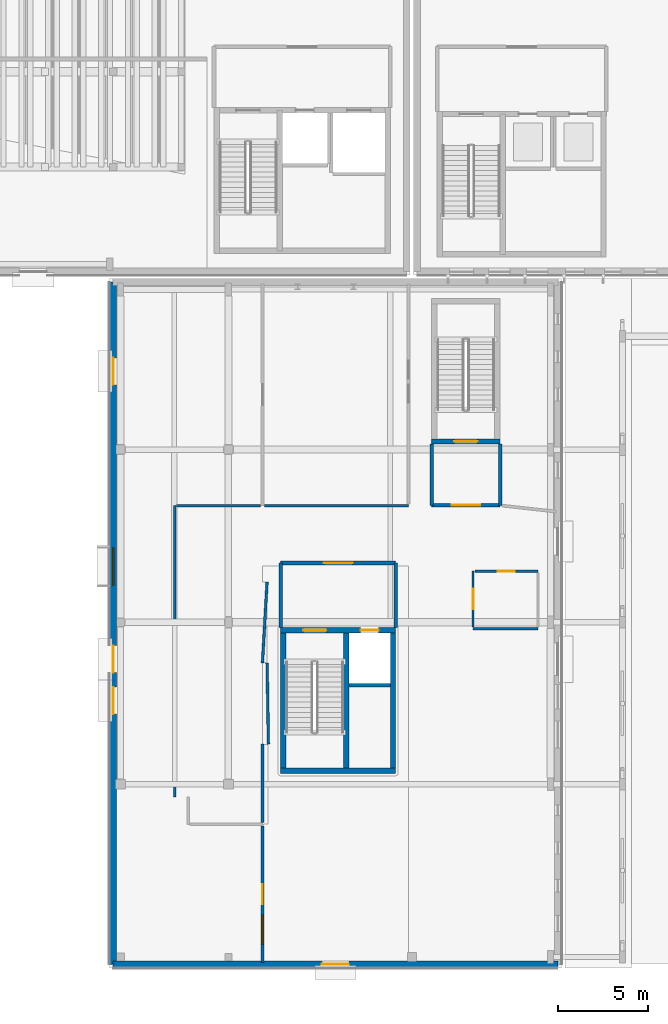
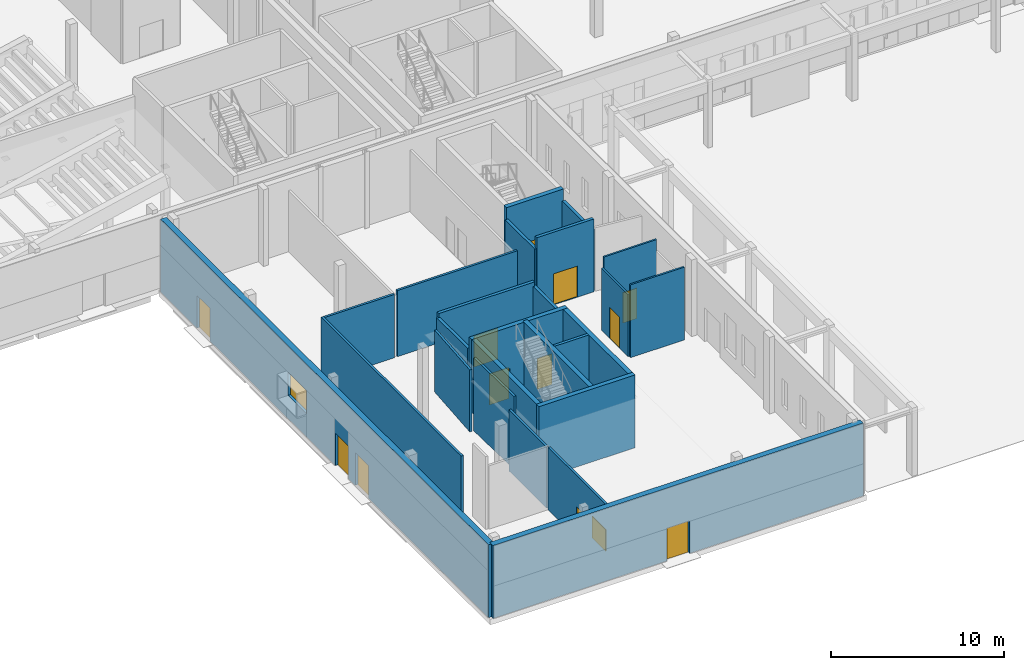
# One storey, part 38 of 84: 25 walls, 12 doors, 2 windows, 14 openings.
"""IFC4 building model written with IfcOpenShell, lengths in metres."""

from ifc_helpers import new_model, si_unit, direction, frame, frame_2d, origin, place, context, subcontext, project, spatial, rectangle, extrude, material, layer, layer_set, type_object, element, fill, save


model = new_model("IFC4")

# Units and contexts
model_context = context("Model", 3, precision=1e-05, world=origin(), true_north=direction((0.0, 1.0)))
body_context = subcontext(model_context, "Body", "Model", "MODEL_VIEW")
ifc_project = project(units=[si_unit("LENGTHUNIT", "METRE"), si_unit("AREAUNIT", "SQUARE_METRE"), si_unit("VOLUMEUNIT", "CUBIC_METRE"), si_unit("PLANEANGLEUNIT", "RADIAN"), si_unit("MASSUNIT", "GRAM", prefix="KILO")], contexts=[model_context])

# Site, building, storey
site_placement = place(None, origin())
site = spatial("IfcSite", under=ifc_project, at=site_placement, CompositionType="ELEMENT")
building_placement = place(site_placement, origin())
building = spatial("IfcBuilding", under=site, at=building_placement, Name="Mzevani Central Library", CompositionType="ELEMENT")
storey_placement = place(building_placement, origin())
storey = spatial("IfcBuildingStorey", under=building, at=storey_placement, Name="L00", CompositionType="ELEMENT", Elevation=0.0)

# Wall
ifc_material_1 = material(Name="Concrete C35/45", Category="concrete")
ifc_layer_1 = layer(ifc_material_1, 0.199951171875, Name="Compartment Wall 200")
ifc_layer_set_1 = layer_set([ifc_layer_1], Name="Concrete C35/45")
wall_type_1 = type_object("IfcWallType", Name="Compartment Wall 200", PredefinedType="STANDARD", material=ifc_layer_set_1)
wall_1_placement = place(storey_placement, frame((38.699951171875, 22.89990234375, 0.0), z_axis=(0.0, 0.0, 1.0), x_axis=(0.0, 1.0, 0.0)))
element("IfcWall", 1, at=wall_1_placement, inside=storey, type_object=wall_type_1, Name="L00 Protected Stair Lobby C4A Enclosure Wall 1", PredefinedType="STANDARD", context=body_context, shape_type="SweptSolid", body=[
    extrude(rectangle(XDim=3.60009765625, YDim=0.199951171875, at=frame_2d((1.800048828125, 0.0))), origin(), (0.0, 0.0, 1.0), 4.3701171875),
])

# Wall, opening, door
wall_2_placement = place(storey_placement, frame((38.699951171875, 26.5, 0.0), z_axis=(0.0, 0.0, 1.0), x_axis=(1.0, 0.0, 0.0)))
wall_2 = element("IfcWall", 2, at=wall_2_placement, inside=storey, type_object=wall_type_1, Name="L00 Protected Stair Lobby C4A Enclosure Wall 2", PredefinedType="STANDARD", context=body_context, shape_type="SweptSolid", body=[
    extrude(rectangle(XDim=6.400146484375, YDim=0.199951171875, at=frame_2d((3.2001953125, 0.0))), origin(), (0.0, 0.0, 1.0), 4.669921875),
])
opening_1_placement = place(wall_2_placement, frame((2.39990234375, 0.0, 0.0)))
opening_1 = element("IfcOpeningElement", 3, at=opening_1_placement, cuts=wall_2, Name="Opening FD-02", PredefinedType="OPENING", context=body_context, shape_type="SweptSolid", body=[
    extrude(rectangle(XDim=1.60009765625, YDim=2.199951171875, at=frame_2d((0.800048828125, 1.10009765625))), frame((0.0, 0.10986328125, 0.0), z_axis=(0.0, -1.0, 0.0), x_axis=(1.0, 0.0, 0.0)), (0.0, 0.0, 1.0), 0.219970703125),
])
ifc_material_2 = material(Name="Fire-rated steel door assembly", Category="steel")
door_type_1 = type_object("IfcDoorType", Name="Fire Lobby Double Door 1600x2200", OperationType="NOTDEFINED", PredefinedType="DOOR", material=ifc_material_2)
door_1_placement = place(opening_1_placement, origin())
door_1 = element("IfcDoor", 4, at=door_1_placement, inside=storey, type_object=door_type_1, Name="L00 Protected Stair Lobby C4A Smoke-Control Door", OperationType="DOUBLE_DOOR_SINGLE_SWING", OverallHeight=2.199951171875, OverallWidth=1.60009765625, PredefinedType="DOOR", context=body_context, shape_type="SweptSolid", body=[
    extrude(rectangle(XDim=1.60009765625, YDim=2.199951171875, at=frame_2d((0.800048828125, 1.10009765625))), frame((0.0, 0.02490234375, 0.0), z_axis=(0.0, -1.0, 0.0), x_axis=(1.0, 0.0, 0.0)), (0.0, 0.0, 1.0), 0.050048828125),
])
fill(opening_1, door_1)

# Walls
wall_3_placement = place(storey_placement, frame((45.10009765625, 26.5, 0.0), z_axis=(0.0, 0.0, 1.0), x_axis=(0.0, -1.0, 0.0)))
element("IfcWall", 5, at=wall_3_placement, inside=storey, type_object=wall_type_1, Name="L00 Protected Stair Lobby C4A Enclosure Wall 3", PredefinedType="STANDARD", context=body_context, shape_type="SweptSolid", body=[
    extrude(rectangle(XDim=3.60009765625, YDim=0.199951171875, at=frame_2d((1.800048828125, 0.0))), origin(), (0.0, 0.0, 1.0), 4.3701171875),
])
wall_4_placement = place(storey_placement, frame((47.10009765625, 33.10009765625, 0.0), z_axis=(0.0, 0.0, 1.0), x_axis=(0.0, -1.0, 0.0)))
element("IfcWall", 6, at=wall_4_placement, inside=storey, type_object=wall_type_1, Name="L00 Stair Vestibule C4B Enclosure Wall 1", PredefinedType="STANDARD", context=body_context, shape_type="SweptSolid", body=[
    extrude(rectangle(XDim=3.400146484375, YDim=0.199951171875, at=frame_2d((1.7001953125, 0.0))), origin(), (0.0, 0.0, 1.0), 4.320068359375),
])

# Wall, opening, door
wall_5_placement = place(storey_placement, frame((47.10009765625, 29.699951171875, 0.0), z_axis=(0.0, 0.0, 1.0), x_axis=(1.0, 0.0, 0.0)))
wall_5 = element("IfcWall", 7, at=wall_5_placement, inside=storey, type_object=wall_type_1, Name="L00 Stair Vestibule C4B Enclosure Wall 2", PredefinedType="STANDARD", context=body_context, shape_type="SweptSolid", body=[
    extrude(rectangle(XDim=3.7998046875, YDim=0.199951171875, at=frame_2d((1.89990234375, 0.0))), origin(), (0.0, 0.0, 1.0), 5.139892578125),
])
opening_2_placement = place(wall_5_placement, frame((1.10009765625, 0.0, 0.0)))
opening_2 = element("IfcOpeningElement", 8, at=opening_2_placement, cuts=wall_5, Name="Opening FD-02", PredefinedType="OPENING", context=body_context, shape_type="SweptSolid", body=[
    extrude(rectangle(XDim=1.60009765625, YDim=2.199951171875, at=frame_2d((0.800048828125, 1.10009765625))), frame((0.0, 0.10986328125, 0.0), z_axis=(0.0, -1.0, 0.0), x_axis=(1.0, 0.0, 0.0)), (0.0, 0.0, 1.0), 0.219970703125),
])
door_2_placement = place(opening_2_placement, origin())
door_2 = element("IfcDoor", 9, at=door_2_placement, inside=storey, type_object=door_type_1, Name="L00 Stair Vestibule C4B Smoke-Control Door", OperationType="DOUBLE_DOOR_SINGLE_SWING", OverallHeight=2.199951171875, OverallWidth=1.60009765625, PredefinedType="DOOR", context=body_context, shape_type="SweptSolid", body=[
    extrude(rectangle(XDim=1.60009765625, YDim=2.199951171875, at=frame_2d((0.800048828125, 1.10009765625))), frame((0.0, 0.02490234375, 0.0), z_axis=(0.0, -1.0, 0.0), x_axis=(1.0, 0.0, 0.0)), (0.0, 0.0, 1.0), 0.050048828125),
])
fill(opening_2, door_2)

# Walls
wall_6_placement = place(storey_placement, frame((50.89990234375, 29.699951171875, 0.0), z_axis=(0.0, 0.0, 1.0), x_axis=(0.0, 1.0, 0.0)))
element("IfcWall", 10, at=wall_6_placement, inside=storey, type_object=wall_type_1, Name="L00 Stair Vestibule C4B Enclosure Wall 3", PredefinedType="STANDARD", context=body_context, shape_type="SweptSolid", body=[
    extrude(rectangle(XDim=3.400146484375, YDim=0.199951171875, at=frame_2d((1.7001953125, 0.0))), origin(), (0.0, 0.0, 1.0), 4.320068359375),
])
ifc_material_3 = material(Name="Concrete C40/50", Category="concrete")
ifc_layer_2 = layer(ifc_material_3, 0.300048828125, Name="Core Shear Wall 300")
ifc_layer_set_2 = layer_set([ifc_layer_2], Name="Concrete C40/50")
wall_type_2 = type_object("IfcWallType", Name="Core Shear Wall 300", PredefinedType="SHEAR", material=ifc_layer_set_2)
wall_7_placement = place(storey_placement, frame((45.10009765625, 14.949951171875, 0.0), z_axis=(0.0, 0.0, 1.0), x_axis=(-1.0, 0.0, 0.0)))
element("IfcWall", 11, at=wall_7_placement, inside=storey, type_object=wall_type_2, Name="L00 Core C4A Cultural Wing Core Shear Wall (-y)", PredefinedType="SHEAR", context=body_context, shape_type="SweptSolid", body=[
    extrude(rectangle(XDim=6.400146484375, YDim=0.300048828125, at=frame_2d((3.2001953125, 0.0))), origin(), (0.0, 0.0, 1.0), 5.139892578125),
])
wall_8_placement = place(storey_placement, frame((38.85009765625, 14.800048828125, 0.0), z_axis=(0.0, 0.0, 1.0), x_axis=(0.0, 1.0, 0.0)))
element("IfcWall", 12, at=wall_8_placement, inside=storey, type_object=wall_type_2, Name="L00 Core C4A Cultural Wing Core Shear Wall (-x)", PredefinedType="SHEAR", context=body_context, shape_type="SweptSolid", body=[
    extrude(rectangle(XDim=8.099853515625, YDim=0.300048828125, at=frame_2d((4.0498046875, 0.0))), origin(), (0.0, 0.0, 1.0), 5.139892578125),
])

# Wall, openings, doors
wall_9_placement = place(storey_placement, frame((38.699951171875, 22.75, 0.0), z_axis=(0.0, 0.0, 1.0), x_axis=(1.0, 0.0, 0.0)))
wall_9 = element("IfcWall", 13, at=wall_9_placement, inside=storey, type_object=wall_type_2, Name="L00 Core C4A Cultural Wing Core Shear Wall (+y)", PredefinedType="SHEAR", context=body_context, shape_type="SweptSolid", body=[
    extrude(rectangle(XDim=6.400146484375, YDim=0.300048828125, at=frame_2d((3.2001953125, 0.0))), origin(), (0.0, 0.0, 1.0), 5.139892578125),
])
opening_3_placement = place(wall_9_placement, frame((1.25, 0.0, 0.0)))
opening_3 = element("IfcOpeningElement", 14, at=opening_3_placement, cuts=wall_9, Name="Opening FD-01", PredefinedType="OPENING", context=body_context, shape_type="SweptSolid", body=[
    extrude(rectangle(XDim=1.300048828125, YDim=2.199951171875, at=frame_2d((0.64990234375, 1.10009765625))), frame((0.0, 0.16015625, 0.0), z_axis=(0.0, -1.0, 0.0), x_axis=(1.0, 0.0, 0.0)), (0.0, 0.0, 1.0), 0.320068359375),
])
opening_4_placement = place(wall_9_placement, frame((4.449951171875, 0.0, 0.0)))
opening_4 = element("IfcOpeningElement", 15, at=opening_4_placement, cuts=wall_9, Name="Opening LD-01", PredefinedType="OPENING", context=body_context, shape_type="SweptSolid", body=[
    extrude(rectangle(XDim=1.0, YDim=2.14990234375, at=frame_2d((0.5, 1.074951171875))), frame((0.0, 0.16015625, 0.0), z_axis=(0.0, -1.0, 0.0), x_axis=(1.0, 0.0, 0.0)), (0.0, 0.0, 1.0), 0.320068359375),
])
door_type_2 = type_object("IfcDoorType", Name="Fire Stair Door 1300x2200", OperationType="NOTDEFINED", PredefinedType="DOOR", material=ifc_material_2)
door_3_placement = place(opening_3_placement, origin())
door_3 = element("IfcDoor", 16, at=door_3_placement, inside=storey, type_object=door_type_2, Name="L00 ST-07 Protected Exit Stair Door", OperationType="SINGLE_SWING_LEFT", OverallHeight=2.199951171875, OverallWidth=1.300048828125, PredefinedType="DOOR", context=body_context, shape_type="SweptSolid", body=[
    extrude(rectangle(XDim=1.300048828125, YDim=2.199951171875, at=frame_2d((0.64990234375, 1.10009765625))), frame((0.0, 0.02490234375, 0.0), z_axis=(0.0, -1.0, 0.0), x_axis=(1.0, 0.0, 0.0)), (0.0, 0.0, 1.0), 0.050048828125),
])
fill(opening_3, door_3)
ifc_material_4 = material(Name="Brushed stainless steel door", Category="steel")
door_type_3 = type_object("IfcDoorType", Name="Passenger Lift Landing Door 1000x2150", OperationType="NOTDEFINED", PredefinedType="DOOR", material=ifc_material_4)
door_4_placement = place(opening_4_placement, origin())
door_4 = element("IfcDoor", 17, at=door_4_placement, inside=storey, type_object=door_type_3, Name="L00 Lift LF-P3 Sliding Landing Door", OperationType="SLIDING_TO_LEFT", OverallHeight=2.14990234375, OverallWidth=1.0, PredefinedType="DOOR", context=body_context, shape_type="SweptSolid", body=[
    extrude(rectangle(XDim=1.0, YDim=2.14990234375, at=frame_2d((0.5, 1.074951171875))), frame((0.0, 0.02490234375, 0.0), z_axis=(0.0, -1.0, 0.0), x_axis=(1.0, 0.0, 0.0)), (0.0, 0.0, 1.0), 0.050048828125),
])
fill(opening_4, door_4)

# Walls
wall_10_placement = place(storey_placement, frame((44.949951171875, 22.89990234375, 0.0), z_axis=(0.0, 0.0, 1.0), x_axis=(0.0, -1.0, 0.0)))
element("IfcWall", 18, at=wall_10_placement, inside=storey, type_object=wall_type_2, Name="L00 Core C4A Cultural Wing Core Shear Wall (+x)", PredefinedType="SHEAR", context=body_context, shape_type="SweptSolid", body=[
    extrude(rectangle(XDim=8.099853515625, YDim=0.300048828125, at=frame_2d((4.0498046875, 0.0))), origin(), (0.0, 0.0, 1.0), 5.139892578125),
])
wall_11_placement = place(storey_placement, frame((42.35009765625, 14.949951171875, 0.0), z_axis=(0.0, 0.0, 1.0), x_axis=(0.0, 1.0, 0.0)))
element("IfcWall", 19, at=wall_11_placement, inside=storey, type_object=wall_type_2, Name="L00 Core C4A Cultural Wing Core Hoistway Shear Wall", PredefinedType="SHEAR", context=body_context, shape_type="SweptSolid", body=[
    extrude(rectangle(XDim=7.800048828125, YDim=0.300048828125, at=frame_2d((3.89990234375, 0.0))), origin(), (0.0, 0.0, 1.0), 5.139892578125),
])

# Wall, opening, door
wall_12_placement = place(storey_placement, frame((50.89990234375, 33.25, 0.0), z_axis=(0.0, 0.0, 1.0), x_axis=(-1.0, 0.0, 0.0)))
wall_12 = element("IfcWall", 20, at=wall_12_placement, inside=storey, type_object=wall_type_2, Name="L00 Core C4B Square South Escape Stair Shear Wall (-y)", PredefinedType="SHEAR", context=body_context, shape_type="SweptSolid", body=[
    extrude(rectangle(XDim=3.7998046875, YDim=0.300048828125, at=frame_2d((1.89990234375, 0.0))), origin(), (0.0, 0.0, 1.0), 5.139892578125),
])
opening_5_placement = place(wall_12_placement, frame((1.25, 0.0, 0.0)))
opening_5 = element("IfcOpeningElement", 21, at=opening_5_placement, cuts=wall_12, Name="Opening FD-01", PredefinedType="OPENING", context=body_context, shape_type="SweptSolid", body=[
    extrude(rectangle(XDim=1.300048828125, YDim=2.199951171875, at=frame_2d((0.64990234375, 1.10009765625))), frame((0.0, 0.16015625, 0.0), z_axis=(0.0, -1.0, 0.0), x_axis=(1.0, 0.0, 0.0)), (0.0, 0.0, 1.0), 0.320068359375),
])
door_5_placement = place(opening_5_placement, origin())
door_5 = element("IfcDoor", 22, at=door_5_placement, inside=storey, type_object=door_type_2, Name="L00 ST-08 Protected Exit Stair Door", OperationType="SINGLE_SWING_RIGHT", OverallHeight=2.199951171875, OverallWidth=1.300048828125, PredefinedType="DOOR", context=body_context, shape_type="SweptSolid", body=[
    extrude(rectangle(XDim=1.300048828125, YDim=2.199951171875, at=frame_2d((0.64990234375, 1.10009765625))), frame((0.0, 0.02490234375, 0.0), z_axis=(0.0, -1.0, 0.0), x_axis=(1.0, 0.0, 0.0)), (0.0, 0.0, 1.0), 0.050048828125),
])
fill(opening_5, door_5)

ifc_material_5 = material(Name="Precast concrete C40/50", Category="concrete")
ifc_layer_3 = layer(ifc_material_5, 0.3798828125, Name="Exterior Thermal Concrete Wall 380")
ifc_layer_set_3 = layer_set([ifc_layer_3], Name="Precast concrete C40/50")
wall_type_3 = type_object("IfcWallType", Name="Exterior Thermal Concrete Wall 380", PredefinedType="STANDARD", material=ifc_layer_set_3)
wall_13_placement = place(storey_placement, frame((54.110107421875, 4.18994140625, 0.0), z_axis=(0.0, 0.0, 1.0), x_axis=(-1.0, 0.0, 0.0)))
wall_13 = element("IfcWall", 23, at=wall_13_placement, inside=storey, type_object=wall_type_3, Name="L00 V4 Exterior Thermal Wall (72)", PredefinedType="STANDARD", context=body_context, shape_type="SweptSolid", body=[
    extrude(rectangle(XDim=24.72021484375, YDim=0.3798828125, at=frame_2d((12.360107421875, 0.0))), origin(), (0.0, 0.0, 1.0), 5.139892578125),
])
opening_6_placement = place(wall_13_placement, frame((11.610107421875, 0.0, 0.0)))
opening_6 = element("IfcOpeningElement", 24, at=opening_6_placement, cuts=wall_13, Name="Opening ED-01", PredefinedType="OPENING", context=body_context, shape_type="SweptSolid", body=[
    extrude(rectangle(XDim=1.5, YDim=2.300048828125, at=frame_2d((0.75, 1.14990234375))), frame((0.0, 0.199951171875, 0.0), z_axis=(0.0, -1.0, 0.0), x_axis=(1.0, 0.0, 0.0)), (0.0, 0.0, 1.0), 0.39990234375),
])
ifc_material_6 = material(Name="Anodized architectural bronze")
door_type_4 = type_object("IfcDoorType", Name="Exterior Final Exit Door 1500x2300", OperationType="NOTDEFINED", PredefinedType="DOOR", material=ifc_material_6)
door_6_placement = place(opening_6_placement, origin())
door_6 = element("IfcDoor", 25, at=door_6_placement, inside=storey, type_object=door_type_4, Name="L00 V4 Exterior Entrance / Exit Door (25)", OperationType="SINGLE_SWING_RIGHT", OverallHeight=2.300048828125, OverallWidth=1.5, PredefinedType="DOOR", context=body_context, shape_type="SweptSolid", body=[
    extrude(rectangle(XDim=1.5, YDim=2.300048828125, at=frame_2d((0.75, 1.14990234375))), frame((0.0, 0.02490234375, 0.0), z_axis=(0.0, -1.0, 0.0), x_axis=(1.0, 0.0, 0.0)), (0.0, 0.0, 1.0), 0.050048828125),
])
fill(opening_6, door_6)

# Wall, openings, doors, window
wall_14_placement = place(storey_placement, frame((29.389892578125, 4.18994140625, 0.0), z_axis=(0.0, 0.0, 1.0), x_axis=(0.0, 1.0, 0.0)))
wall_14 = element("IfcWall", 26, at=wall_14_placement, inside=storey, type_object=wall_type_3, Name="L00 V4 Exterior Thermal Wall (73)", PredefinedType="STANDARD", context=body_context, shape_type="SweptSolid", body=[
    extrude(rectangle(XDim=37.920166015625, YDim=0.3798828125, at=frame_2d((18.9599609375, 0.0))), origin(), (0.0, 0.0, 1.0), 5.139892578125),
])
opening_7_placement = place(wall_14_placement, frame((16.2099609375, 0.0, 0.0)))
opening_7 = element("IfcOpeningElement", 27, at=opening_7_placement, cuts=wall_14, Name="Opening ED-01", PredefinedType="OPENING", context=body_context, shape_type="SweptSolid", body=[
    extrude(rectangle(XDim=1.5, YDim=2.300048828125, at=frame_2d((0.75, 1.14990234375))), frame((0.0, 0.199951171875, 0.0), z_axis=(0.0, -1.0, 0.0), x_axis=(1.0, 0.0, 0.0)), (0.0, 0.0, 1.0), 0.39990234375),
])
opening_8_placement = place(wall_14_placement, frame((21.068359375, 0.0, 1.64990234375)))
opening_8 = element("IfcOpeningElement", 28, at=opening_8_placement, cuts=wall_14, Name="Opening W-16", PredefinedType="OPENING", context=body_context, shape_type="SweptSolid", body=[
    extrude(rectangle(XDim=2.10009765625, YDim=1.60009765625, at=frame_2d((1.050048828125, 0.800048828125))), frame((0.0, 0.199951171875, 0.0), z_axis=(0.0, -1.0, 0.0), x_axis=(1.0, 0.0, 0.0)), (0.0, 0.0, 1.0), 0.39990234375),
])
opening_9_placement = place(wall_14_placement, frame((13.909912109375, 0.0, 0.0)))
opening_9 = element("IfcOpeningElement", 29, at=opening_9_placement, cuts=wall_14, Name="Opening ED-01", PredefinedType="OPENING", context=body_context, shape_type="SweptSolid", body=[
    extrude(rectangle(XDim=1.5, YDim=2.300048828125, at=frame_2d((0.75, 1.14990234375))), frame((0.0, 0.199951171875, 0.0), z_axis=(0.0, -1.0, 0.0), x_axis=(1.0, 0.0, 0.0)), (0.0, 0.0, 1.0), 0.39990234375),
])
opening_10_placement = place(wall_14_placement, frame((32.2099609375, 0.0, 0.0)))
opening_10 = element("IfcOpeningElement", 30, at=opening_10_placement, cuts=wall_14, Name="Opening ED-01", PredefinedType="OPENING", context=body_context, shape_type="SweptSolid", body=[
    extrude(rectangle(XDim=1.5, YDim=2.300048828125, at=frame_2d((0.75, 1.14990234375))), frame((0.0, 0.199951171875, 0.0), z_axis=(0.0, -1.0, 0.0), x_axis=(1.0, 0.0, 0.0)), (0.0, 0.0, 1.0), 0.39990234375),
])
door_7_placement = place(opening_7_placement, origin())
door_7 = element("IfcDoor", 31, at=door_7_placement, inside=storey, type_object=door_type_4, Name="L00 V4 Exterior Entrance / Exit Door (26)", OperationType="SINGLE_SWING_LEFT", OverallHeight=2.300048828125, OverallWidth=1.5, PredefinedType="DOOR", context=body_context, shape_type="SweptSolid", body=[
    extrude(rectangle(XDim=1.5, YDim=2.300048828125, at=frame_2d((0.75, 1.14990234375))), frame((0.0, 0.02490234375, 0.0), z_axis=(0.0, -1.0, 0.0), x_axis=(1.0, 0.0, 0.0)), (0.0, 0.0, 1.0), 0.050048828125),
])
fill(opening_7, door_7)
door_8_placement = place(opening_9_placement, origin())
door_8 = element("IfcDoor", 32, at=door_8_placement, inside=storey, type_object=door_type_4, Name="L00 ST-07 Final Grade Exit Discharge Door", OperationType="SINGLE_SWING_RIGHT", OverallHeight=2.300048828125, OverallWidth=1.5, PredefinedType="DOOR", context=body_context, shape_type="SweptSolid", body=[
    extrude(rectangle(XDim=1.5, YDim=2.300048828125, at=frame_2d((0.75, 1.14990234375))), frame((0.0, 0.02490234375, 0.0), z_axis=(0.0, -1.0, 0.0), x_axis=(1.0, 0.0, 0.0)), (0.0, 0.0, 1.0), 0.050048828125),
])
fill(opening_9, door_8)
door_9_placement = place(opening_10_placement, origin())
door_9 = element("IfcDoor", 33, at=door_9_placement, inside=storey, type_object=door_type_4, Name="L00 ST-08 Final Grade Exit Discharge Door", OperationType="SINGLE_SWING_LEFT", OverallHeight=2.300048828125, OverallWidth=1.5, PredefinedType="DOOR", context=body_context, shape_type="SweptSolid", body=[
    extrude(rectangle(XDim=1.5, YDim=2.300048828125, at=frame_2d((0.75, 1.14990234375))), frame((0.0, 0.02490234375, 0.0), z_axis=(0.0, -1.0, 0.0), x_axis=(1.0, 0.0, 0.0)), (0.0, 0.0, 1.0), 0.050048828125),
])
fill(opening_10, door_9)
ifc_material_7 = material(Name="Low-E triple glazing glass", Category="glass")
window_type_1 = type_object("IfcWindowType", Name="Reading Clerestory Window 2100x1600", PartitioningType="SINGLE_PANEL", PredefinedType="WINDOW", material=ifc_material_7)
window_1_placement = place(opening_8_placement, origin())
window_1 = element("IfcWindow", 34, at=window_1_placement, inside=storey, type_object=window_type_1, Name="L00 V4 Deep-Reveal Window W-16 (135)", OverallHeight=1.60009765625, OverallWidth=2.10009765625, PartitioningType="SINGLE_PANEL", PredefinedType="WINDOW", context=body_context, shape_type="SweptSolid", body=[
    extrude(rectangle(XDim=2.10009765625, YDim=1.60009765625, at=frame_2d((1.050048828125, 0.800048828125))), frame((0.0, 0.030029296875, 0.0), z_axis=(0.0, -1.0, 0.0), x_axis=(1.0, 0.0, 0.0)), (0.0, 0.0, 1.0), 0.06005859375),
])
fill(opening_8, window_1)

# Wall
ifc_material_8 = material(Name="Fire-rated gypsum board", Category="gypsum")
ifc_layer_4 = layer(ifc_material_8, 0.1201171875, Name="Partition Acoustic 120")
ifc_layer_set_4 = layer_set([ifc_layer_4], Name="Fire-rated gypsum board")
wall_type_4 = type_object("IfcWallType", Name="Partition Acoustic 120", PredefinedType="PARTITIONING", material=ifc_layer_set_4)
wall_15_placement = place(storey_placement, frame((52.998291015625, 22.8408203125, 0.0), z_axis=(0.0, 0.0, 1.0), x_axis=(-1.0, 0.0, 0.0)))
element("IfcWall", 35, at=wall_15_placement, inside=storey, type_object=wall_type_4, Name="L00 V4 Partition IW-02 (149)", PredefinedType="PARTITIONING", context=body_context, shape_type="SweptSolid", body=[
    extrude(rectangle(XDim=3.60009765625, YDim=0.1201171875, at=frame_2d((1.800048828125, 0.0))), origin(), (0.0, 0.0, 1.0), 5.139892578125),
])

# Wall, opening, door
wall_16_placement = place(storey_placement, frame((49.398193359375, 22.94091796875, 0.0), z_axis=(0.0, 0.0, 1.0), x_axis=(0.0, 1.0, 0.0)))
wall_16 = element("IfcWall", 36, at=wall_16_placement, inside=storey, type_object=wall_type_4, Name="L00 V4 Partition IW-02 (150)", PredefinedType="PARTITIONING", context=body_context, shape_type="SweptSolid", body=[
    extrude(rectangle(XDim=3.10009765625, YDim=0.1201171875, at=frame_2d((1.550048828125, 0.0))), origin(), (0.0, 0.0, 1.0), 4.3701171875),
])
opening_11_placement = place(wall_16_placement, frame((0.97509765625, 0.0, 0.0)))
opening_11 = element("IfcOpeningElement", 37, at=opening_11_placement, cuts=wall_16, Name="Opening ID-09", PredefinedType="OPENING", context=body_context, shape_type="SweptSolid", body=[
    extrude(rectangle(XDim=1.14990234375, YDim=2.199951171875, at=frame_2d((0.574951171875, 1.10009765625))), frame((0.0, 0.070068359375, 0.0), z_axis=(0.0, -1.0, 0.0), x_axis=(1.0, 0.0, 0.0)), (0.0, 0.0, 1.0), 0.14013671875),
])
ifc_material_9 = material(Name="Fire-rated solid oak leaf")
door_type_5 = type_object("IfcDoorType", Name="Community Room Door 1150x2200", OperationType="NOTDEFINED", PredefinedType="DOOR", material=ifc_material_9)
door_10_placement = place(opening_11_placement, origin())
door_10 = element("IfcDoor", 38, at=door_10_placement, inside=storey, type_object=door_type_5, Name="L00 Mzevani Square Street Cafe 2 Door", OperationType="SINGLE_SWING_LEFT", OverallHeight=2.199951171875, OverallWidth=1.14990234375, PredefinedType="DOOR", context=body_context, shape_type="SweptSolid", body=[
    extrude(rectangle(XDim=1.14990234375, YDim=2.199951171875, at=frame_2d((0.574951171875, 1.10009765625))), frame((0.0, 0.02490234375, 0.0), z_axis=(0.0, -1.0, 0.0), x_axis=(1.0, 0.0, 0.0)), (0.0, 0.0, 1.0), 0.050048828125),
])
fill(opening_11, door_10)

wall_17_placement = place(storey_placement, frame((49.498291015625, 26.041015625, 0.0), z_axis=(0.0, 0.0, 1.0), x_axis=(1.0, 0.0, 0.0)))
wall_17 = element("IfcWall", 39, at=wall_17_placement, inside=storey, type_object=wall_type_4, Name="L00 V4 Partition IW-02 (151)", PredefinedType="PARTITIONING", context=body_context, shape_type="SweptSolid", body=[
    extrude(rectangle(XDim=3.5, YDim=0.1201171875, at=frame_2d((1.75, 0.0))), origin(), (0.0, 0.0, 1.0), 5.139892578125),
])
opening_12_placement = place(wall_17_placement, frame((1.27490234375, 0.0, 0.0)))
opening_12 = element("IfcOpeningElement", 40, at=opening_12_placement, cuts=wall_17, Name="Opening ID-02", PredefinedType="OPENING", context=body_context, shape_type="SweptSolid", body=[
    extrude(rectangle(XDim=0.949951171875, YDim=2.14990234375, at=frame_2d((0.47509765625, 1.074951171875))), frame((0.0, 0.070068359375, 0.0), z_axis=(0.0, -1.0, 0.0), x_axis=(1.0, 0.0, 0.0)), (0.0, 0.0, 1.0), 0.14013671875),
])
door_type_6 = type_object("IfcDoorType", Name="Accessible WC Door 950x2150", OperationType="NOTDEFINED", PredefinedType="DOOR", material=ifc_material_9)
door_11_placement = place(opening_12_placement, origin())
door_11 = element("IfcDoor", 41, at=door_11_placement, inside=storey, type_object=door_type_6, Name="L00 Accessible WC and Public Toilet V4 Door", OperationType="SINGLE_SWING_LEFT", OverallHeight=2.14990234375, OverallWidth=0.949951171875, PredefinedType="DOOR", context=body_context, shape_type="SweptSolid", body=[
    extrude(rectangle(XDim=0.949951171875, YDim=2.14990234375, at=frame_2d((0.47509765625, 1.074951171875))), frame((0.0, 0.02490234375, 0.0), z_axis=(0.0, -1.0, 0.0), x_axis=(1.0, 0.0, 0.0)), (0.0, 0.0, 1.0), 0.050048828125),
])
fill(opening_12, door_11)

# Wall
ifc_layer_5 = layer(ifc_material_8, 0.14990234375, Name="Partition Study 150")
ifc_layer_set_5 = layer_set([ifc_layer_5], Name="Fire-rated gypsum board")
wall_type_5 = type_object("IfcWallType", Name="Partition Study 150", PredefinedType="PARTITIONING", material=ifc_layer_set_5)
wall_18_placement = place(storey_placement, frame((32.820068359375, 29.679931640625, 0.0), z_axis=(0.0, 0.0, 1.0), x_axis=(0.0, -1.0, 0.0)))
element("IfcWall", 42, at=wall_18_placement, inside=storey, type_object=wall_type_5, Name="L00 V4 Partition IW-03 (153)", PredefinedType="PARTITIONING", context=body_context, shape_type="SweptSolid", body=[
    extrude(rectangle(XDim=16.179931640625, YDim=0.14990234375, at=frame_2d((8.08984375, 0.0))), origin(), (0.0, 0.0, 1.0), 4.52001953125),
])

# Wall, openings, window, door
wall_19_placement = place(storey_placement, frame((37.693359375, 11.875, 0.0), z_axis=(0.0, 0.0, 1.0), x_axis=(0.0, -1.0, 0.0)))
wall_19 = element("IfcWall", 43, at=wall_19_placement, inside=storey, type_object=wall_type_5, Name="L00 V4 Partition IW-03 (156)", PredefinedType="PARTITIONING", context=body_context, shape_type="SweptSolid", body=[
    extrude(rectangle(XDim=7.5849609375, YDim=0.14990234375, at=frame_2d((3.79248046875, 0.0))), origin(), (0.0, 0.0, 1.0), 4.419921875),
])
opening_13_placement = place(wall_19_placement, frame((3.242431640625, 0.0, 0.0)))
opening_13 = element("IfcOpeningElement", 44, at=opening_13_placement, cuts=wall_19, Name="Opening ID-08", PredefinedType="OPENING", context=body_context, shape_type="SweptSolid", body=[
    extrude(rectangle(XDim=1.10009765625, YDim=2.199951171875, at=frame_2d((0.550048828125, 1.10009765625))), frame((0.0, 0.0849609375, 0.0), z_axis=(0.0, -1.0, 0.0), x_axis=(1.0, 0.0, 0.0)), (0.0, 0.0, 1.0), 0.169921875),
])
opening_14_placement = place(wall_19_placement, frame((4.964599609375, 0.0, 1.050048828125)))
opening_14 = element("IfcOpeningElement", 45, at=opening_14_placement, cuts=wall_19, Name="Opening IW-W01", PredefinedType="OPENING", context=body_context, shape_type="SweptSolid", body=[
    extrude(rectangle(XDim=1.60009765625, YDim=1.5, at=frame_2d((0.800048828125, 0.75))), frame((0.0, 0.0849609375, 0.0), z_axis=(0.0, -1.0, 0.0), x_axis=(1.0, 0.0, 0.0)), (0.0, 0.0, 1.0), 0.169921875),
])
window_type_2 = type_object("IfcWindowType", Name="Interior Borrowed Light 1600x1500", PartitioningType="SINGLE_PANEL", PredefinedType="WINDOW", material=ifc_material_7)
window_2_placement = place(opening_14_placement, origin())
window_2 = element("IfcWindow", 46, at=window_2_placement, inside=storey, type_object=window_type_2, Name="L00 Community Meeting Room Acoustic Borrowed Light", OverallHeight=1.5, OverallWidth=1.60009765625, PartitioningType="SINGLE_PANEL", PredefinedType="WINDOW", context=body_context, shape_type="SweptSolid", body=[
    extrude(rectangle(XDim=1.60009765625, YDim=1.5, at=frame_2d((0.800048828125, 0.75))), frame((0.0, 0.030029296875, 0.0), z_axis=(0.0, -1.0, 0.0), x_axis=(1.0, 0.0, 0.0)), (0.0, 0.0, 1.0), 0.06005859375),
])
fill(opening_14, window_2)
door_type_7 = type_object("IfcDoorType", Name="Seminar Room Door 1100x2200", OperationType="NOTDEFINED", PredefinedType="DOOR", material=ifc_material_9)
door_12_placement = place(opening_13_placement, origin())
door_12 = element("IfcDoor", 47, at=door_12_placement, inside=storey, type_object=door_type_7, Name="L00 Community Meeting Room Door", OperationType="SINGLE_SWING_RIGHT", OverallHeight=2.199951171875, OverallWidth=1.10009765625, PredefinedType="DOOR", context=body_context, shape_type="SweptSolid", body=[
    extrude(rectangle(XDim=1.10009765625, YDim=2.199951171875, at=frame_2d((0.550048828125, 1.10009765625))), frame((0.0, 0.02490234375, 0.0), z_axis=(0.0, -1.0, 0.0), x_axis=(1.0, 0.0, 0.0)), (0.0, 0.0, 1.0), 0.050048828125),
])
fill(opening_13, door_12)

# Walls
wall_20_placement = place(storey_placement, frame((37.59326171875, 29.679931640625, 0.0), z_axis=(0.0, 0.0, 1.0), x_axis=(-1.0, 0.0, 0.0)))
element("IfcWall", 48, at=wall_20_placement, inside=storey, type_object=wall_type_5, Name="L00 V4 Partition IW-03 (158)", PredefinedType="PARTITIONING", context=body_context, shape_type="SweptSolid", body=[
    extrude(rectangle(XDim=4.67333984375, YDim=0.14990234375, at=frame_2d((2.336669921875, 0.0))), origin(), (0.0, 0.0, 1.0), 4.469970703125),
])
wall_21_placement = place(storey_placement, frame((45.806640625, 29.679931640625, 0.0), z_axis=(0.0, 0.0, 1.0), x_axis=(-1.0, 0.0, 0.0)))
element("IfcWall", 49, at=wall_21_placement, inside=storey, type_object=wall_type_5, Name="L00 V4 Partition IW-03 (159)", PredefinedType="PARTITIONING", context=body_context, shape_type="SweptSolid", body=[
    extrude(rectangle(XDim=8.013427734375, YDim=0.14990234375, at=frame_2d((4.0068359375, 0.0))), origin(), (0.0, 0.0, 1.0), 4.669921875),
])
wall_22_placement = place(storey_placement, frame((37.693359375, 12.074951171875, 0.0), z_axis=(0.0, 0.0, 1.0), x_axis=(0.0, 1.0, 0.0)))
element("IfcWall", 50, at=wall_22_placement, inside=storey, type_object=wall_type_5, Name="L00 V4 Partition IW-03 (161)", PredefinedType="PARTITIONING", context=body_context, shape_type="SweptSolid", body=[
    extrude(rectangle(XDim=4.35009765625, YDim=0.14990234375, at=frame_2d((2.175048828125, 0.0))), origin(), (0.0, 0.0, 1.0), 4.320068359375),
])
wall_23_placement = place(storey_placement, frame((38.02490234375, 16.425048828125, 0.0), z_axis=(0.0, 0.0, 1.0), x_axis=(-0.016561880473, 0.999862842652, 0.0)))
element("IfcWall", 51, at=wall_23_placement, inside=storey, type_object=wall_type_5, Name="L00 V4 Partition IW-03 (162)", PredefinedType="PARTITIONING", context=body_context, shape_type="SweptSolid", body=[
    extrude(rectangle(XDim=4.525634765625, YDim=0.14990234375, at=frame_2d((2.2626953125, 0.0))), origin(), (0.0, 0.0, 1.0), 5.139892578125),
])
wall_24_placement = place(storey_placement, frame((37.693359375, 20.949951171875, 0.0), z_axis=(0.0, 0.0, 1.0), x_axis=(0.056927928782, 0.998378290491, 0.0)))
element("IfcWall", 52, at=wall_24_placement, inside=storey, type_object=wall_type_5, Name="L00 V4 Partition IW-03 (163)", PredefinedType="PARTITIONING", context=body_context, shape_type="SweptSolid", body=[
    extrude(rectangle(XDim=4.50732421875, YDim=0.14990234375, at=frame_2d((2.253662109375, 0.0))), origin(), (0.0, 0.0, 1.0), 4.3701171875),
])
ifc_material_10 = material(Name="Concrete blockwork masonry", Category="masonry")
ifc_layer_6 = layer(ifc_material_10, 0.179931640625, Name="Shaft Enclosure Wall 180")
ifc_layer_set_6 = layer_set([ifc_layer_6], Name="Concrete blockwork masonry")
wall_type_6 = type_object("IfcWallType", Name="Shaft Enclosure Wall 180", PredefinedType="PARTITIONING", material=ifc_layer_set_6)
wall_25_placement = place(storey_placement, frame((42.5, 19.7099609375, 0.0), z_axis=(0.0, 0.0, 1.0), x_axis=(1.0, 0.0, 0.0)))
element("IfcWall", 53, at=wall_25_placement, inside=storey, type_object=wall_type_6, Name="L00 Lift LF-P3 Hoistway Enclosure Wall", PredefinedType="PARTITIONING", context=body_context, shape_type="SweptSolid", body=[
    extrude(rectangle(XDim=2.300048828125, YDim=0.179931640625, at=frame_2d((1.14990234375, 0.0))), origin(), (0.0, 0.0, 1.0), 5.139892578125),
])

save(model, "model.ifc")
